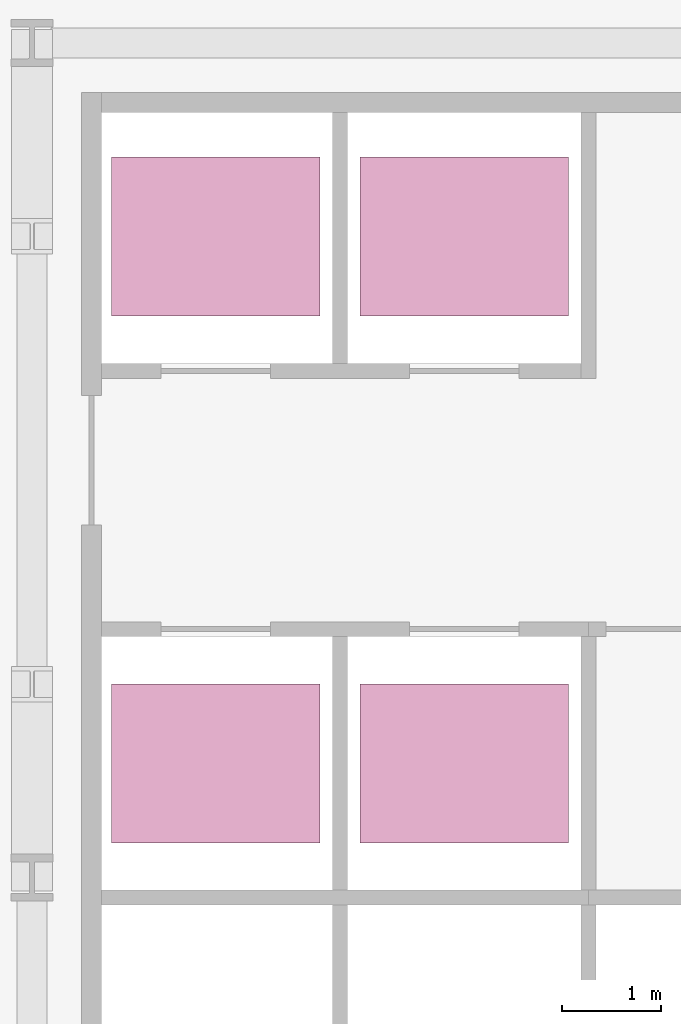
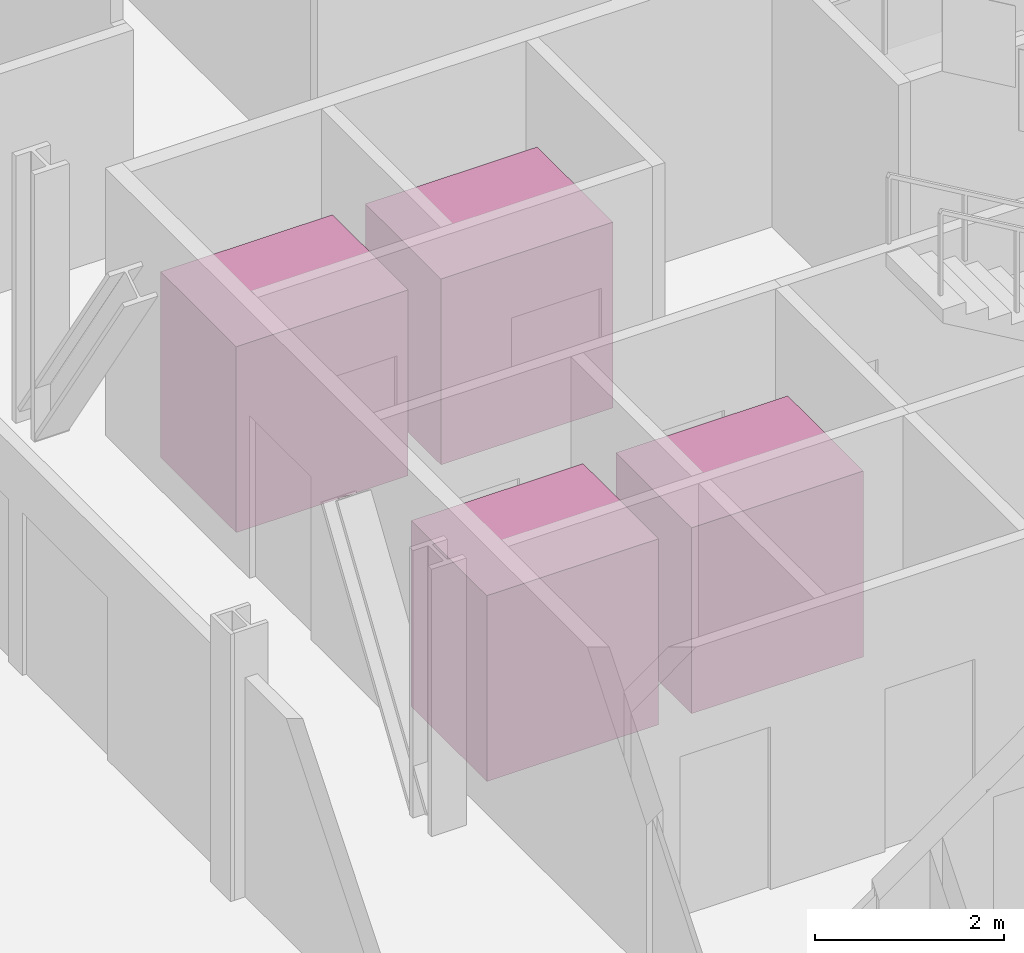
# One storey, part 24 of 24: 4 transport elements.
"""IFC4 building model written with IfcOpenShell, lengths in metres."""

from ifc_helpers import new_model, si_unit, direction, frame, origin, origin_2d, place, context, subcontext, project, spatial, rectangle, extrude, material, type_object, element, save


model = new_model("IFC4")

# Units and contexts
model_context = context("Model", 3, precision=1e-05, world=origin(), true_north=direction((0.0, 1.0)))
body_context = subcontext(model_context, "Body", "Model", "MODEL_VIEW")
ifc_project = project(units=[si_unit("LENGTHUNIT", "METRE"), si_unit("AREAUNIT", "SQUARE_METRE"), si_unit("VOLUMEUNIT", "CUBIC_METRE"), si_unit("PLANEANGLEUNIT", "RADIAN"), si_unit("MASSUNIT", "GRAM", prefix="KILO")], contexts=[model_context])

# Site, building, storey
site_placement = place(None, origin())
site = spatial("IfcSite", under=ifc_project, at=site_placement, CompositionType="ELEMENT")
building_placement = place(site_placement, origin())
building = spatial("IfcBuilding", under=site, at=building_placement, Name="Cairn Pilgrim Tower", CompositionType="ELEMENT")
storey_placement = place(building_placement, frame((0.0, 0.0, 125.39990234375)))
storey = spatial("IfcBuildingStorey", under=building, at=storey_placement, Name="L30", CompositionType="ELEMENT", Elevation=125.39990234375)

# Transport elements
ifc_material = material(Name="LIFT 1600KG")
transport_element_type = type_object("IfcTransportElementType", Name="LIFT 1600KG", PredefinedType="ELEVATOR", material=ifc_material)
for number, where, z_axis, x_axis, name in (
    (1, (-0.550048828125, 3.550048828125, 0.000244140625), (0.0, 0.0, 1.0), (1.0, 0.0, 0.0), "HIGH-RISE LIFT HR1"),
    (2, (1.949951171875, 3.550048828125, 0.000244140625), (0.0, 0.0, 1.0), (1.0, 0.0, 0.0), "HIGH-RISE LIFT HR2"),
    (3, (-0.550048828125, 8.85009765625, 0.000244140625), (0.0, 0.0, 1.0), (1.0, 0.0, 0.0), "HIGH-RISE LIFT HR3"),
    (4, (1.949951171875, 8.85009765625, 0.000244140625), (0.0, 0.0, 1.0), (1.0, 0.0, 0.0), "HIGH-RISE LIFT HR4"),
):
    element("IfcTransportElement", number, at=place(storey_placement, frame(where, z_axis=z_axis, x_axis=x_axis)), inside=storey, type_object=transport_element_type, Name=name, PredefinedType="ELEVATOR", context=body_context, shape_type="SweptSolid", body=[
        extrude(rectangle(XDim=2.10009765625, YDim=1.60009765625, at=origin_2d()), origin(), (0.0, 0.0, 1.0), 2.39990234375),
    ])

save(model, "model.ifc")
